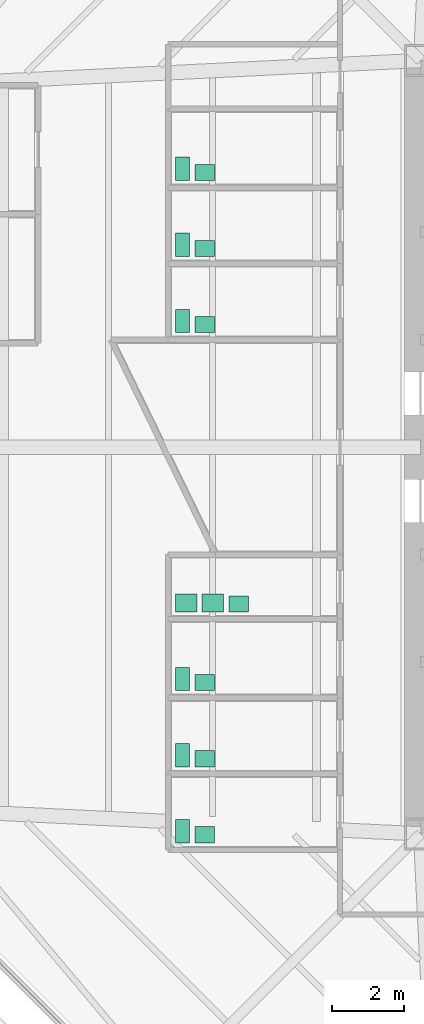
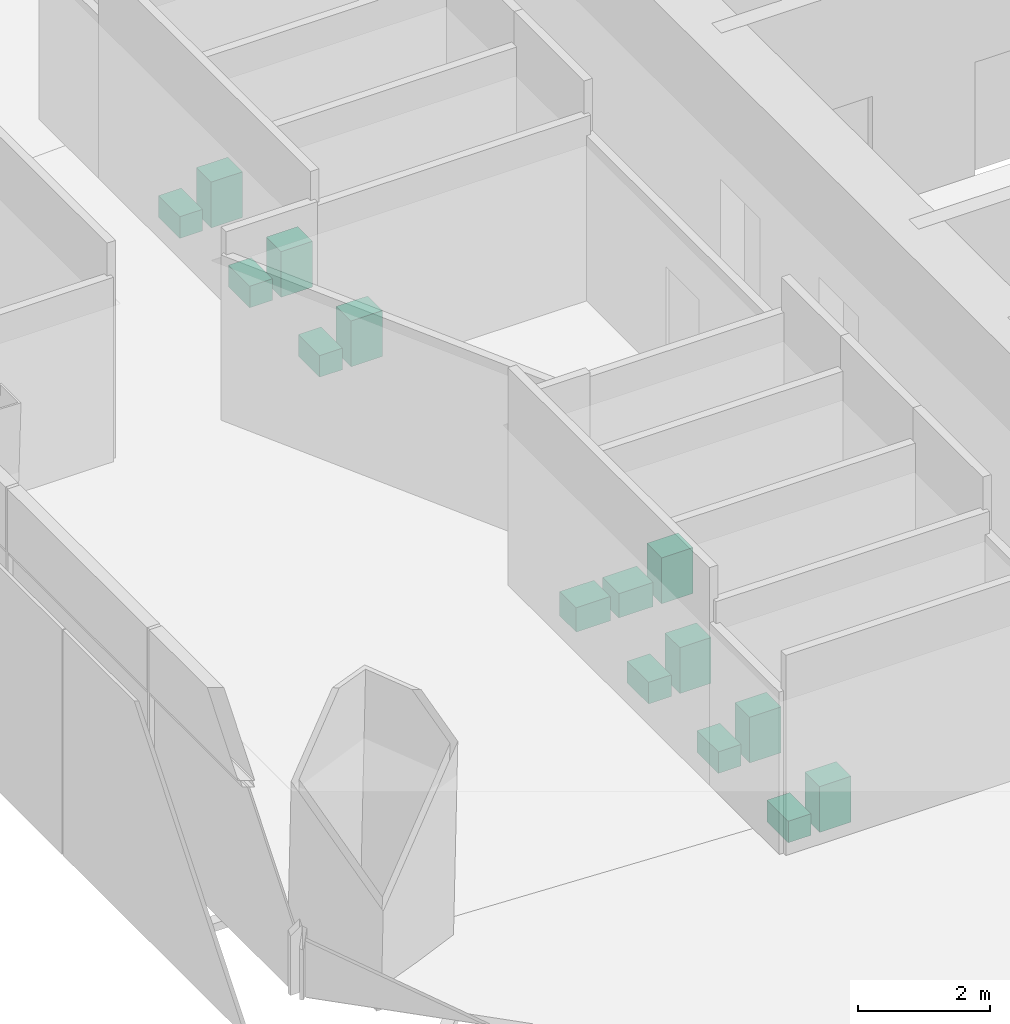
# One storey, part 15 of 15: 15 sanitary terminals.
"""IFC4 building model written with IfcOpenShell, lengths in metres."""

from ifc_helpers import new_model, si_unit, direction, frame, origin, origin_2d, place, context, subcontext, project, spatial, rectangle, extrude, material, type_object, element, save


model = new_model("IFC4")

# Units and contexts
model_context = context("Model", 3, precision=1e-05, world=origin(), true_north=direction((0.0, 1.0)))
body_context = subcontext(model_context, "Body", "Model", "MODEL_VIEW")
ifc_project = project(units=[si_unit("LENGTHUNIT", "METRE"), si_unit("AREAUNIT", "SQUARE_METRE"), si_unit("VOLUMEUNIT", "CUBIC_METRE"), si_unit("PLANEANGLEUNIT", "RADIAN"), si_unit("MASSUNIT", "GRAM", prefix="KILO")], contexts=[model_context])

# Site, building, storey
site_placement = place(None, origin())
site = spatial("IfcSite", under=ifc_project, at=site_placement, CompositionType="ELEMENT")
building_placement = place(site_placement, origin())
building = spatial("IfcBuilding", under=site, at=building_placement, Name="Mashrafa Tower", CompositionType="ELEMENT")
storey_placement = place(building_placement, frame((0.0, 0.0, 66.60009765625)))
storey = spatial("IfcBuildingStorey", under=building, at=storey_placement, Name="L14", CompositionType="ELEMENT", Elevation=66.60009765625)

# Sanitary terminals
ifc_material_1 = material(Name="Stainless steel", Category="steel")
sanitary_terminal_type_1 = type_object("IfcSanitaryTerminalType", Name="Ablution wash station 600 x 500", PredefinedType="WASHHANDBASIN", material=ifc_material_1)
for number, where, z_axis, x_axis, name in (
    (1, (-17.35009765625, -4.35009765625, 0.0), (0.0, 0.0, 1.0), (1.0, 0.0, 0.0), "Ablution wash station Ablution Room L14 S"),
    (2, (-16.60009765625, -4.35009765625, 0.0), (0.0, 0.0, 1.0), (1.0, 0.0, 0.0), "Ablution wash station Ablution Room L14 S"),
):
    element("IfcSanitaryTerminal", number, at=place(storey_placement, frame(where, z_axis=z_axis, x_axis=x_axis)), inside=storey, type_object=sanitary_terminal_type_1, Name=name, PredefinedType="WASHHANDBASIN", context=body_context, shape_type="SweptSolid", body=[
        extrude(rectangle(XDim=0.60009765625, YDim=0.5, at=origin_2d()), origin(), (0.0, 0.0, 1.0), 0.449951171875),
    ])
ifc_material_2 = material(Name="Vitreous china")
sanitary_terminal_type_2 = type_object("IfcSanitaryTerminalType", Name="Toilet pan 400 x 650", PredefinedType="TOILETPAN", material=ifc_material_2)
for number, where, z_axis, x_axis, name in (
    (3, (-17.449951171875, 3.52490234375, 0.0), (0.0, 0.0, 1.0), (1.0, 0.0, 0.0), "Toilet pan WC Female L14 N"),
    (4, (-17.449951171875, 5.64990234375, 0.0), (0.0, 0.0, 1.0), (1.0, 0.0, 0.0), "Toilet pan WC Male L14 N"),
    (5, (-17.449951171875, 7.77490234375, 0.0), (0.0, 0.0, 1.0), (1.0, 0.0, 0.0), "Toilet pan Accessible WC L14 N"),
    (6, (-17.449951171875, -10.72509765625, 0.0), (0.0, 0.0, 1.0), (1.0, 0.0, 0.0), "Toilet pan WC Female L14 S"),
    (7, (-17.449951171875, -8.60009765625, 0.0), (0.0, 0.0, 1.0), (1.0, 0.0, 0.0), "Toilet pan WC Male L14 S"),
    (8, (-17.449951171875, -6.47509765625, 0.0), (0.0, 0.0, 1.0), (1.0, 0.0, 0.0), "Toilet pan Accessible WC L14 S"),
):
    element("IfcSanitaryTerminal", number, at=place(storey_placement, frame(where, z_axis=z_axis, x_axis=x_axis)), inside=storey, type_object=sanitary_terminal_type_2, Name=name, PredefinedType="TOILETPAN", context=body_context, shape_type="SweptSolid", body=[
        extrude(rectangle(XDim=0.39990234375, YDim=0.64990234375, at=origin_2d()), origin(), (0.0, 0.0, 1.0), 0.39990234375),
    ])
ifc_material_3 = material(Name="Vitreous china")
sanitary_terminal_type_3 = type_object("IfcSanitaryTerminalType", Name="Wash basin 550 x 450", PredefinedType="WASHHANDBASIN", material=ifc_material_3)
for number, where, z_axis, x_axis, name in (
    (9, (-16.824951171875, 3.425048828125, -0.000244140625), (0.0, 0.0, 1.0), (1.0, 0.0, 0.0), "Wash basin WC Female L14 N"),
    (10, (-16.824951171875, 5.550048828125, -0.000244140625), (0.0, 0.0, 1.0), (1.0, 0.0, 0.0), "Wash basin WC Male L14 N"),
    (11, (-16.824951171875, 7.675048828125, -0.000244140625), (0.0, 0.0, 1.0), (1.0, 0.0, 0.0), "Wash basin Accessible WC L14 N"),
    (12, (-16.824951171875, -10.824951171875, -0.000244140625), (0.0, 0.0, 1.0), (1.0, 0.0, 0.0), "Wash basin WC Female L14 S"),
    (13, (-16.824951171875, -8.699951171875, -0.000244140625), (0.0, 0.0, 1.0), (1.0, 0.0, 0.0), "Wash basin WC Male L14 S"),
    (14, (-16.824951171875, -6.574951171875, -0.000244140625), (0.0, 0.0, 1.0), (1.0, 0.0, 0.0), "Wash basin Accessible WC L14 S"),
    (15, (-15.875, -4.375, -0.000244140625), (0.0, 0.0, 1.0), (1.0, 0.0, 0.0), "Wash basin Ablution Room L14 S"),
):
    element("IfcSanitaryTerminal", number, at=place(storey_placement, frame(where, z_axis=z_axis, x_axis=x_axis)), inside=storey, type_object=sanitary_terminal_type_3, Name=name, PredefinedType="WASHHANDBASIN", context=body_context, shape_type="SweptSolid", body=[
        extrude(rectangle(XDim=0.550048828125, YDim=0.449951171875, at=origin_2d()), origin(), (0.0, 0.0, 1.0), 0.85009765625),
    ])

save(model, "model.ifc")
